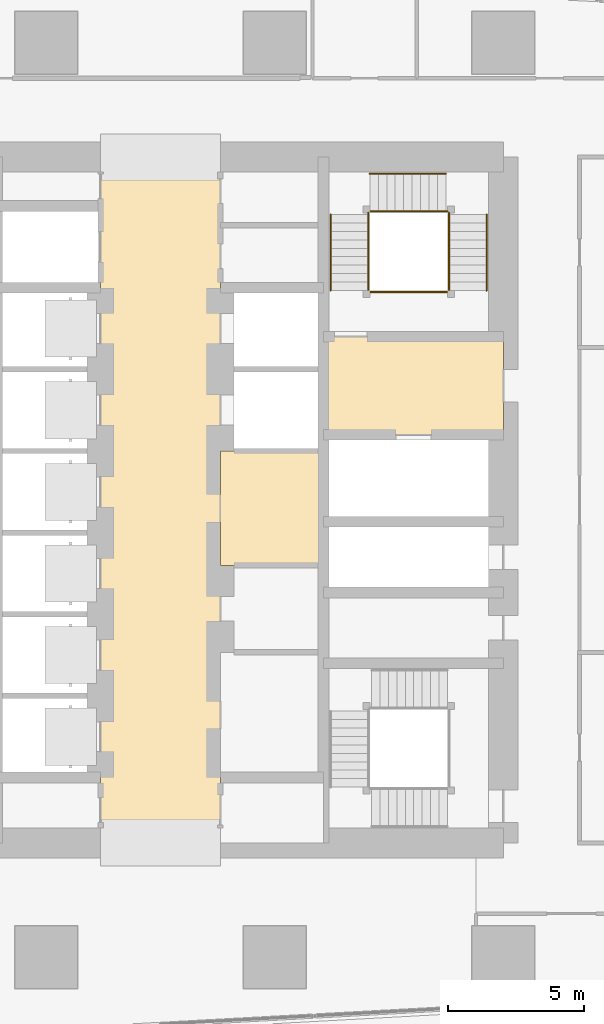
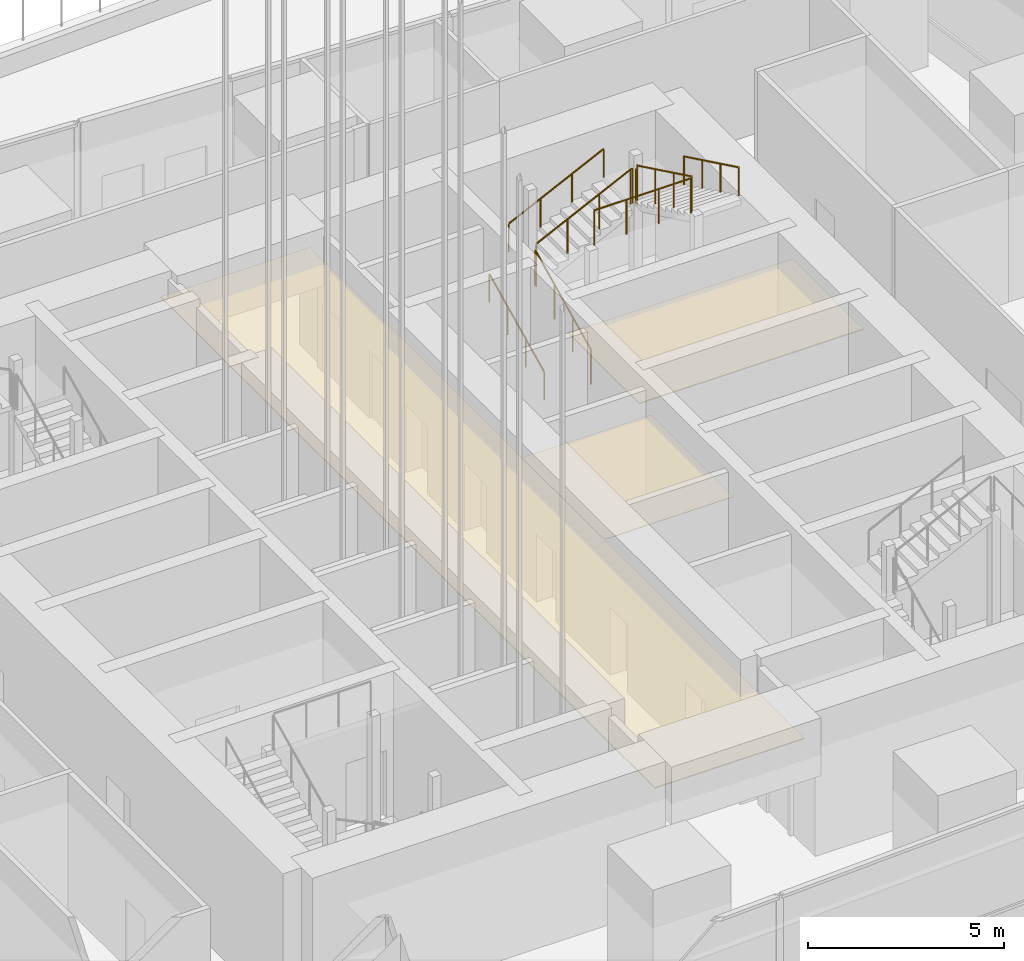
# One storey, part 25 of 39: 10 railings, 3 coverings.
"""IFC4 building model written with IfcOpenShell, lengths in metres."""

from ifc_helpers import new_model, si_unit, direction, frame, origin, origin_2d, place, context, subcontext, project, spatial, polyline, circle, outline, extrude, material, layer, layer_set, type_object, element, save


model = new_model("IFC4")

# Units and contexts
model_context = context("Model", 3, precision=1e-05, world=origin(), true_north=direction((0.0, 1.0)))
body_context = subcontext(model_context, "Body", "Model", "MODEL_VIEW")
ifc_project = project(units=[si_unit("LENGTHUNIT", "METRE"), si_unit("AREAUNIT", "SQUARE_METRE"), si_unit("VOLUMEUNIT", "CUBIC_METRE"), si_unit("PLANEANGLEUNIT", "RADIAN"), si_unit("MASSUNIT", "GRAM", prefix="KILO")], contexts=[model_context])

# Site, building, storey
site_placement = place(None, origin())
site = spatial("IfcSite", under=ifc_project, at=site_placement, CompositionType="ELEMENT")
building_placement = place(site_placement, origin())
building = spatial("IfcBuilding", under=site, at=building_placement, Name="Rekha Terrace Tower", CompositionType="ELEMENT")
storey_placement = place(building_placement, frame((0.0, 0.0, 245.60009765625)))
storey = spatial("IfcBuildingStorey", under=building, at=storey_placement, Name="L62", CompositionType="ELEMENT", Elevation=245.60009765625)

# Coverings
ifc_material_1 = material(Name="Fibre cement board", Category="finish")
ifc_layer_1 = layer(ifc_material_1, 0.014892578125)
ifc_layer_set_1 = layer_set([ifc_layer_1], Name="Fibre cement board")
covering_type_1 = type_object("IfcCoveringType", Name="CL2 moisture-resistant board ceiling", PredefinedType="CEILING", material=ifc_layer_set_1)
covering_1_placement = place(storey_placement, frame((0.0, 0.0, 3.3349609375)))
element("IfcCovering", 1, at=covering_1_placement, inside=storey, type_object=covering_type_1, Name="Ceiling L62-FSE3", PredefinedType="CEILING", context=body_context, shape_type="SweptSolid", body=[
    extrude(outline(polyline([(43.800048828125, 35.39990234375), (40.0, 35.39990234375), (40.0, 31.199951171875), (43.800048828125, 31.199951171875), (43.800048828125, 35.39990234375)])), origin(), (0.0, 0.0, 1.0), 0.014892578125),
])
ifc_material_2 = material(Name="Powder-coated aluminium pan", Category="aluminium")
ifc_layer_2 = layer(ifc_material_2, 0.030029296875)
ifc_layer_set_2 = layer_set([ifc_layer_2], Name="Powder-coated aluminium pan")
covering_type_2 = type_object("IfcCoveringType", Name="CL3 300x1200 metal pan ceiling", PredefinedType="CEILING", material=ifc_layer_set_2)
covering_2_placement = place(storey_placement, frame((0.0, 0.0, 3.31982421875)))
element("IfcCovering", 2, at=covering_2_placement, inside=storey, type_object=covering_type_2, Name="Ceiling L62-LOBBY", PredefinedType="CEILING", context=body_context, shape_type="SweptSolid", body=[
    extrude(outline(polyline([(40.0, 46.199951171875), (35.60009765625, 46.199951171875), (35.60009765625, 21.0), (40.0, 21.0), (40.0, 46.199951171875)])), origin(), (0.0, 0.0, 1.0), 0.030029296875),
])
covering_3_placement = place(storey_placement, frame((0.0, 0.0, 3.31982421875)))
element("IfcCovering", 3, at=covering_3_placement, inside=storey, type_object=covering_type_2, Name="Ceiling L62-FLB2", PredefinedType="CEILING", context=body_context, shape_type="SweptSolid", body=[
    extrude(outline(polyline([(50.39990234375, 39.60009765625), (43.800048828125, 39.60009765625), (43.800048828125, 36.0), (50.39990234375, 36.0), (50.39990234375, 39.60009765625)])), origin(), (0.0, 0.0, 1.0), 0.030029296875),
])

# Railings
ifc_material_3 = material(Name="Stainless steel balustrade", Category="steel")
railing_type_1 = type_object("IfcRailingType", Name="GR1 1100 stair guard", PredefinedType="GUARDRAIL", material=ifc_material_3)
railing_1_placement = place(storey_placement, frame((45.43994140625, 41.300048828125, 0.14990234375)))
element("IfcRailing", 4, at=railing_1_placement, inside=storey, type_object=railing_type_1, Name="Guard ST2 L62 flight 1", PredefinedType="GUARDRAIL", context=body_context, shape_type="SweptSolid", body=[
    extrude(circle(Radius=0.02392578125, at=origin_2d()), frame((0.0, 0.0, 1.076171875), z_axis=(0.0, 0.90014928908, 0.43558151633), x_axis=(-1.0, 0.0, 0.0)), (0.0, 0.0, 1.0), 3.099609375),
    extrude(circle(Radius=0.02099609375, at=origin_2d()), origin(), (0.0, 0.0, 1.0), 1.052001953125),
    extrude(circle(Radius=0.02099609375, at=origin_2d()), frame((0.0, 0.929931640625, 0.449951171875)), (0.0, 0.0, 1.0), 1.052001953125),
    extrude(circle(Radius=0.02099609375, at=origin_2d()), frame((0.0, 1.860107421875, 0.900146484375)), (0.0, 0.0, 1.0), 1.052001953125),
    extrude(circle(Radius=0.02099609375, at=origin_2d()), frame((0.0, 2.7900390625, 1.35009765625)), (0.0, 0.0, 1.0), 1.052001953125),
])
railing_2_placement = place(storey_placement, frame((45.5, 44.2099609375, 1.64990234375)))
element("IfcRailing", 5, at=railing_2_placement, inside=storey, type_object=railing_type_1, Name="Guard ST2 L62 flight 2", PredefinedType="GUARDRAIL", context=body_context, shape_type="SweptSolid", body=[
    extrude(circle(Radius=0.02392578125, at=origin_2d()), frame((0.0, 0.0, 1.076171875), z_axis=(0.90014928908, 0.0, 0.43558151633), x_axis=(0.0, 1.0, 0.0)), (0.0, 0.0, 1.0), 3.099609375),
    extrude(circle(Radius=0.02099609375, at=origin_2d()), origin(), (0.0, 0.0, 1.0), 1.052001953125),
    extrude(circle(Radius=0.02099609375, at=origin_2d()), frame((0.929931640625, 0.0, 0.449951171875)), (0.0, 0.0, 1.0), 1.052001953125),
    extrude(circle(Radius=0.02099609375, at=origin_2d()), frame((1.860107421875, 0.0, 0.900146484375)), (0.0, 0.0, 1.0), 1.052001953125),
    extrude(circle(Radius=0.02099609375, at=origin_2d()), frame((2.7900390625, 0.0, 1.35009765625)), (0.0, 0.0, 1.0), 1.052001953125),
])
railing_3_placement = place(storey_placement, frame((48.409912109375, 44.090087890625, 3.14990234375)))
element("IfcRailing", 6, at=railing_3_placement, inside=storey, type_object=railing_type_1, Name="Guard ST2 L62 flight 3", PredefinedType="GUARDRAIL", context=body_context, shape_type="SweptSolid", body=[
    extrude(circle(Radius=0.02392578125, at=origin_2d()), frame((0.0, 0.0, 1.076171875), z_axis=(0.0, -0.90014928908, 0.43558151633), x_axis=(1.0, 0.0, 0.0)), (0.0, 0.0, 1.0), 3.099609375),
    extrude(circle(Radius=0.02099609375, at=origin_2d()), origin(), (0.0, 0.0, 1.0), 1.052001953125),
    extrude(circle(Radius=0.02099609375, at=origin_2d()), frame((0.0, -0.929931640625, 0.449951171875)), (0.0, 0.0, 1.0), 1.052001953125),
    extrude(circle(Radius=0.02099609375, at=origin_2d()), frame((0.0, -1.860107421875, 0.900146484375)), (0.0, 0.0, 1.0), 1.052001953125),
    extrude(circle(Radius=0.02099609375, at=origin_2d()), frame((0.0, -2.7900390625, 1.35009765625)), (0.0, 0.0, 1.0), 1.052001953125),
])
railing_4_placement = place(storey_placement, frame((45.43994140625, 44.090087890625, 1.5)))
element("IfcRailing", 7, at=railing_4_placement, inside=storey, type_object=railing_type_1, Name="Guard ST2 L62 landing 1", PredefinedType="GUARDRAIL", context=body_context, shape_type="SweptSolid", body=[
    extrude(circle(Radius=0.02392578125, at=origin_2d()), frame((0.0, 0.0, 1.076171875), z_axis=(0.0, 1.0, 0.0), x_axis=(-1.0, 0.0, 0.0)), (0.0, 0.0, 1.0), 0.059814453125),
    extrude(circle(Radius=0.02099609375, at=origin_2d()), origin(), (0.0, 0.0, 1.0), 1.052001953125),
    extrude(circle(Radius=0.02099609375, at=origin_2d()), frame((0.0, 0.059814453125, 0.0)), (0.0, 0.0, 1.0), 1.052001953125),
])
railing_5_placement = place(storey_placement, frame((48.2900390625, 44.2099609375, 3.0)))
element("IfcRailing", 8, at=railing_5_placement, inside=storey, type_object=railing_type_1, Name="Guard ST2 L62 landing 2", PredefinedType="GUARDRAIL", context=body_context, shape_type="SweptSolid", body=[
    extrude(circle(Radius=0.02392578125, at=origin_2d()), frame((0.0, 0.0, 1.076171875), z_axis=(1.0, 0.0, 0.0), x_axis=(0.0, 1.0, 0.0)), (0.0, 0.0, 1.0), 0.06005859375),
    extrude(circle(Radius=0.02099609375, at=origin_2d()), origin(), (0.0, 0.0, 1.0), 1.052001953125),
    extrude(circle(Radius=0.02099609375, at=origin_2d()), frame((0.06005859375, 0.0, 0.0)), (0.0, 0.0, 1.0), 1.052001953125),
])
railing_6_placement = place(storey_placement, frame((48.409912109375, 44.090087890625, 3.0)))
element("IfcRailing", 9, at=railing_6_placement, inside=storey, type_object=railing_type_1, Name="Guard ST2 L62 landing 3", PredefinedType="GUARDRAIL", context=body_context, shape_type="SweptSolid", body=[
    extrude(circle(Radius=0.02392578125, at=origin_2d()), frame((0.0, 0.0, 1.076171875), z_axis=(0.0, 1.0, 0.0), x_axis=(-1.0, 0.0, 0.0)), (0.0, 0.0, 1.0), 0.059814453125),
    extrude(circle(Radius=0.02099609375, at=origin_2d()), origin(), (0.0, 0.0, 1.0), 1.052001953125),
    extrude(circle(Radius=0.02099609375, at=origin_2d()), frame((0.0, 0.059814453125, 0.0)), (0.0, 0.0, 1.0), 1.052001953125),
])
railing_7_placement = place(storey_placement, frame((45.5, 41.239990234375, 4.5)))
element("IfcRailing", 10, at=railing_7_placement, inside=storey, type_object=railing_type_1, Name="Guard ST2 L62 landing 4", PredefinedType="GUARDRAIL", context=body_context, shape_type="SweptSolid", body=[
    extrude(circle(Radius=0.02392578125, at=origin_2d()), frame((0.0, 0.0, 1.076171875), z_axis=(1.0, 0.0, 0.0), x_axis=(0.0, 1.0, 0.0)), (0.0, 0.0, 1.0), 2.85009765625),
    extrude(circle(Radius=0.02099609375, at=origin_2d()), origin(), (0.0, 0.0, 1.0), 1.052001953125),
    extrude(circle(Radius=0.02099609375, at=origin_2d()), frame((0.949951171875, 0.0, 0.0)), (0.0, 0.0, 1.0), 1.052001953125),
    extrude(circle(Radius=0.02099609375, at=origin_2d()), frame((1.900146484375, 0.0, 0.0)), (0.0, 0.0, 1.0), 1.052001953125),
    extrude(circle(Radius=0.02099609375, at=origin_2d()), frame((2.85009765625, 0.0, 0.0)), (0.0, 0.0, 1.0), 1.052001953125),
])
ifc_material_4 = material(Name="Stainless steel tube", Category="steel")
railing_type_2 = type_object("IfcRailingType", Name="HR1 900 stair handrail", PredefinedType="HANDRAIL", material=ifc_material_4)
railing_8_placement = place(storey_placement, frame((44.06005859375, 41.300048828125, 0.14990234375)))
element("IfcRailing", 11, at=railing_8_placement, inside=storey, type_object=railing_type_2, Name="Handrail ST2 L62 flight 1", PredefinedType="HANDRAIL", context=body_context, shape_type="SweptSolid", body=[
    extrude(circle(Radius=0.02392578125, at=origin_2d()), frame((0.0, 0.0, 0.8759765625), z_axis=(0.0, 0.90014928908, 0.43558151633), x_axis=(-1.0, 0.0, 0.0)), (0.0, 0.0, 1.0), 3.099609375),
    extrude(circle(Radius=0.02099609375, at=origin_2d()), origin(), (0.0, 0.0, 1.0), 0.851806640625),
    extrude(circle(Radius=0.02099609375, at=origin_2d()), frame((0.0, 0.929931640625, 0.449951171875)), (0.0, 0.0, 1.0), 0.851806640625),
    extrude(circle(Radius=0.02099609375, at=origin_2d()), frame((0.0, 1.860107421875, 0.900146484375)), (0.0, 0.0, 1.0), 0.851806640625),
    extrude(circle(Radius=0.02099609375, at=origin_2d()), frame((0.0, 2.7900390625, 1.35009765625)), (0.0, 0.0, 1.0), 0.851806640625),
])
railing_9_placement = place(storey_placement, frame((45.5, 45.590087890625, 1.64990234375)))
element("IfcRailing", 12, at=railing_9_placement, inside=storey, type_object=railing_type_2, Name="Handrail ST2 L62 flight 2", PredefinedType="HANDRAIL", context=body_context, shape_type="SweptSolid", body=[
    extrude(circle(Radius=0.02392578125, at=origin_2d()), frame((0.0, 0.0, 0.8759765625), z_axis=(0.90014928908, 0.0, 0.43558151633), x_axis=(0.0, 1.0, 0.0)), (0.0, 0.0, 1.0), 3.099609375),
    extrude(circle(Radius=0.02099609375, at=origin_2d()), origin(), (0.0, 0.0, 1.0), 0.851806640625),
    extrude(circle(Radius=0.02099609375, at=origin_2d()), frame((0.929931640625, 0.0, 0.449951171875)), (0.0, 0.0, 1.0), 0.851806640625),
    extrude(circle(Radius=0.02099609375, at=origin_2d()), frame((1.860107421875, 0.0, 0.900146484375)), (0.0, 0.0, 1.0), 0.851806640625),
    extrude(circle(Radius=0.02099609375, at=origin_2d()), frame((2.7900390625, 0.0, 1.35009765625)), (0.0, 0.0, 1.0), 0.851806640625),
])
railing_10_placement = place(storey_placement, frame((49.7900390625, 44.090087890625, 3.14990234375)))
element("IfcRailing", 13, at=railing_10_placement, inside=storey, type_object=railing_type_2, Name="Handrail ST2 L62 flight 3", PredefinedType="HANDRAIL", context=body_context, shape_type="SweptSolid", body=[
    extrude(circle(Radius=0.02392578125, at=origin_2d()), frame((0.0, 0.0, 0.8759765625), z_axis=(0.0, -0.90014928908, 0.43558151633), x_axis=(1.0, 0.0, 0.0)), (0.0, 0.0, 1.0), 3.099609375),
    extrude(circle(Radius=0.02099609375, at=origin_2d()), origin(), (0.0, 0.0, 1.0), 0.851806640625),
    extrude(circle(Radius=0.02099609375, at=origin_2d()), frame((0.0, -0.929931640625, 0.449951171875)), (0.0, 0.0, 1.0), 0.851806640625),
    extrude(circle(Radius=0.02099609375, at=origin_2d()), frame((0.0, -1.860107421875, 0.900146484375)), (0.0, 0.0, 1.0), 0.851806640625),
    extrude(circle(Radius=0.02099609375, at=origin_2d()), frame((0.0, -2.7900390625, 1.35009765625)), (0.0, 0.0, 1.0), 0.851806640625),
])

save(model, "model.ifc")
